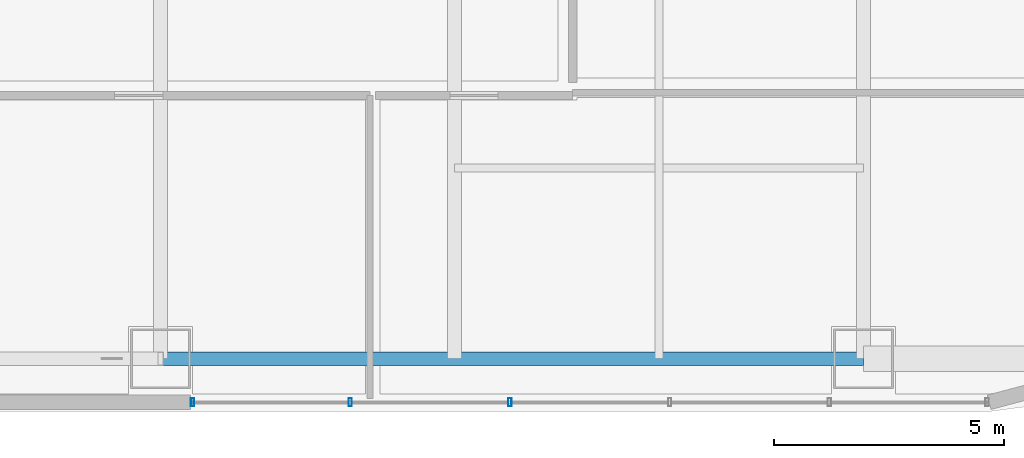
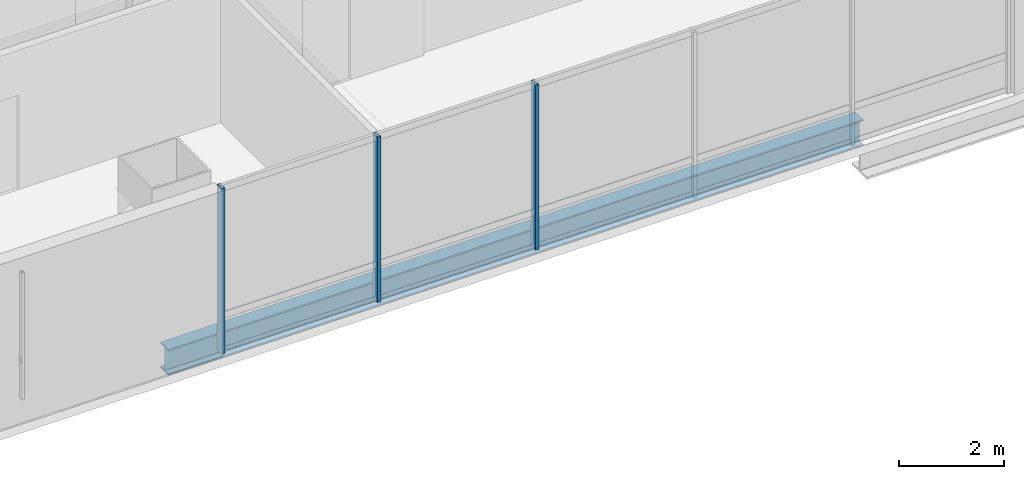
# One storey, part 6 of 44: 3 members, 1 beam, 1 element without a shape of its own.
"""IFC4 building model written with IfcOpenShell, lengths in metres."""

from ifc_helpers import new_model, si_unit, direction, frame, origin, origin_2d, place, context, subcontext, project, spatial, hollow_rectangle, i_section, extrude, material, material_profile, profile_set, type_object, element, aggregate, save


model = new_model("IFC4")

# Units and contexts
model_context = context("Model", 3, precision=1e-05, world=origin(), true_north=direction((0.0, 1.0)))
body_context = subcontext(model_context, "Body", "Model", "MODEL_VIEW")
ifc_project = project(units=[si_unit("LENGTHUNIT", "METRE"), si_unit("AREAUNIT", "SQUARE_METRE"), si_unit("VOLUMEUNIT", "CUBIC_METRE"), si_unit("PLANEANGLEUNIT", "RADIAN"), si_unit("MASSUNIT", "GRAM", prefix="KILO")], contexts=[model_context])

# Site, building, storey
site_placement = place(None, origin())
site = spatial("IfcSite", under=ifc_project, at=site_placement, CompositionType="ELEMENT")
building_placement = place(site_placement, origin())
building = spatial("IfcBuilding", under=site, at=building_placement, Name="Punatoya Terracotta Tower", CompositionType="ELEMENT")
storey_placement = place(building_placement, frame((0.0, 0.0, 267.60009765625)))
storey = spatial("IfcBuildingStorey", under=building, at=storey_placement, Name="L63", CompositionType="ELEMENT", Elevation=267.60009765625)

# Beam
ifc_material_1 = material(Name="Steel S355", Category="steel")
ifc_material_profile_1 = material_profile(ifc_material_1, i_section(OverallWidth=0.300048828125, OverallDepth=0.60009765625, WebThickness=0.015380859375, FlangeThickness=0.030029296875, FilletRadius=0.01806640625, at=origin_2d()))
ifc_profile_set_1 = profile_set([ifc_material_profile_1], Name="Steel S355")
beam_type = type_object("IfcBeamType", Name="BM-PRI-600", PredefinedType="BEAM", material=ifc_profile_set_1)
beam_placement = place(storey_placement, frame((3.800048828125, -17.5, -0.5), z_axis=(1.0, 0.0, 0.0), x_axis=(0.0, 1.0, 0.0)))
element("IfcBeam", 1, at=beam_placement, inside=storey, type_object=beam_type, Name="BM-L63-RG-S3", PredefinedType="BEAM", context=body_context, shape_type="SweptSolid", body=[
    extrude(i_section(OverallWidth=0.300048828125, OverallDepth=0.60009765625, WebThickness=0.015380859375, FlangeThickness=0.030029296875, FilletRadius=0.01806640625, at=origin_2d()), origin(), (0.0, 0.0, 1.0), 15.300048828125),
])

# Curtain wall, members
ifc_material_2 = material(Name="Aluminium 6063-T6 + Double Low-E Glass", Category="aluminium")
curtain_wall_type = type_object("IfcCurtainWallType", Name="CW-M3", PredefinedType="NOTDEFINED", material=ifc_material_2)
curtain_wall_placement = place(storey_placement, origin())
curtain_wall = element("IfcCurtainWall", 2, at=curtain_wall_placement, inside=storey, type_object=curtain_wall_type, Name="L63 Curtain Wall CW-L63-S01-2", PredefinedType="NOTDEFINED")
ifc_material_3 = material(Name="Aluminium 6063-T6", Category="aluminium")
ifc_material_profile_2 = material_profile(ifc_material_3, hollow_rectangle(XDim=0.070068359375, YDim=0.179931640625, WallThickness=0.00390625, at=origin_2d()))
ifc_profile_set_2 = profile_set([ifc_material_profile_2], Name="Aluminium 6063-T6")
member_type = type_object("IfcMemberType", Name="CW-MUL-M3", PredefinedType="MULLION", material=ifc_profile_set_2)
member_1_placement = place(storey_placement, frame((4.4951171875, -18.449951171875, 0.0), z_axis=(0.0, 0.0, 1.0), x_axis=(1.0, 0.0, 0.0)))
member_1 = element("IfcMember", 3, at=member_1_placement, type_object=member_type, Name="CW-L63-S01-2 Mullion 00", PredefinedType="MULLION", context=body_context, shape_type="SweptSolid", body=[
    extrude(hollow_rectangle(XDim=0.070068359375, YDim=0.179931640625, WallThickness=0.00390625, at=origin_2d()), origin(), (0.0, 0.0, 1.0), 3.849853515625),
])
member_2_placement = place(storey_placement, frame((7.927490234375, -18.449951171875, 0.0), z_axis=(0.0, 0.0, 1.0), x_axis=(1.0, 0.0, 0.0)))
member_2 = element("IfcMember", 4, at=member_2_placement, type_object=member_type, Name="CW-L63-S01-2 Mullion 01", PredefinedType="MULLION", context=body_context, shape_type="SweptSolid", body=[
    extrude(hollow_rectangle(XDim=0.070068359375, YDim=0.179931640625, WallThickness=0.00390625, at=origin_2d()), origin(), (0.0, 0.0, 1.0), 3.849853515625),
])
member_3_placement = place(storey_placement, frame((11.40478515625, -18.449951171875, 0.0), z_axis=(0.0, 0.0, 1.0), x_axis=(1.0, 0.0, 0.0)))
member_3 = element("IfcMember", 5, at=member_3_placement, type_object=member_type, Name="CW-L63-S01-2 Mullion 02", PredefinedType="MULLION", context=body_context, shape_type="SweptSolid", body=[
    extrude(hollow_rectangle(XDim=0.070068359375, YDim=0.179931640625, WallThickness=0.00390625, at=origin_2d()), origin(), (0.0, 0.0, 1.0), 3.849853515625),
])
aggregate(curtain_wall, [member_1, member_2, member_3])

save(model, "model.ifc")
